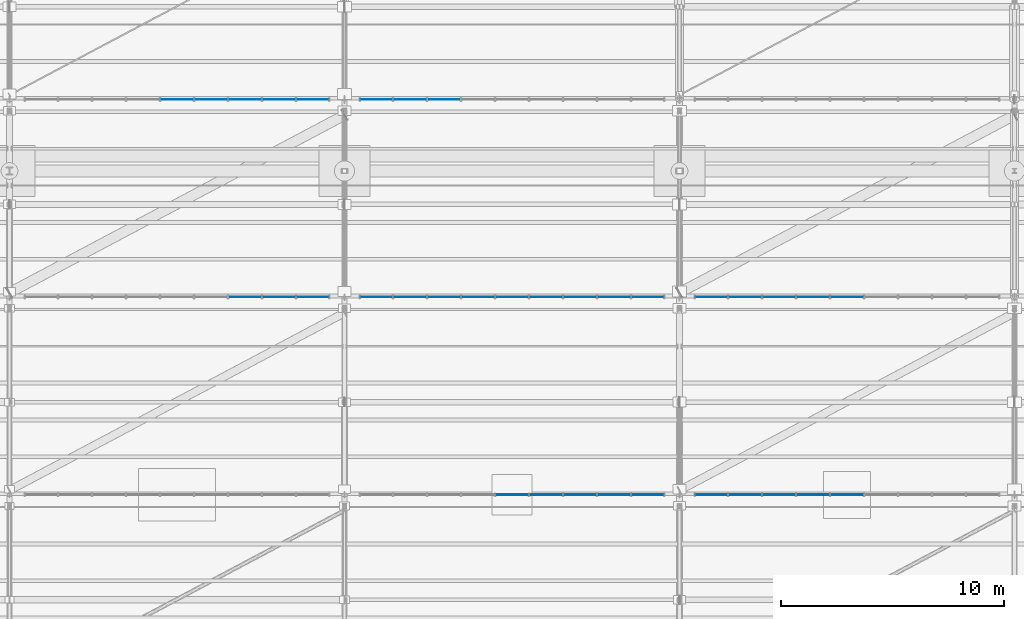
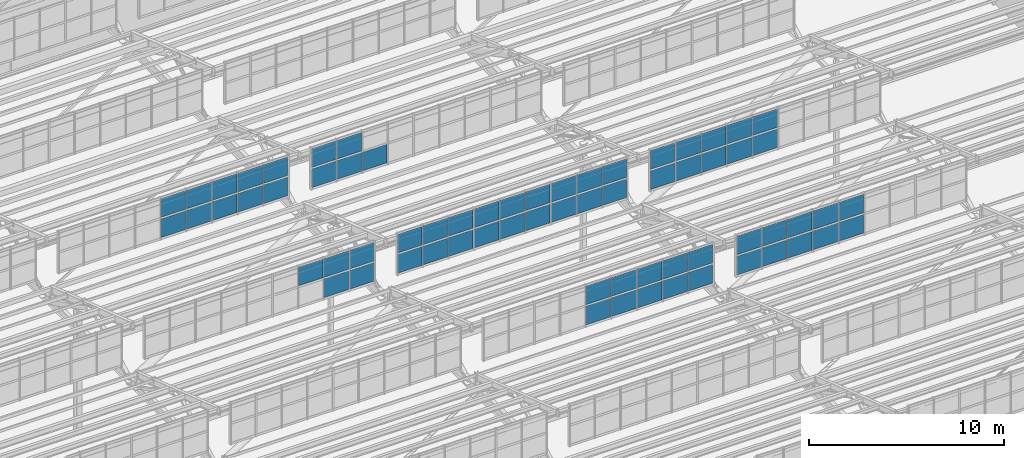
# One storey, part 179 of 285: 68 plates, 7 elements without a shape of their own.
"""IFC4 building model written with IfcOpenShell, lengths in metres."""

import ifcopenshell
import ifcopenshell.guid

model = None  # the IFC model being written
_history = None  # IfcOwnerHistory: only IFC2X3 demands one
_inside = {}  # id of a spatial element -> (the spatial element, [elements in it])
_under = {}  # id of a project, library or spatial element -> (it, [spatial elements below it])
_declared = {}  # id of a project -> (the project, [libraries it declares])
_typed = {}  # id of a type object -> (the type object, [elements of that type])
_made_of = {}  # id of a material, layer set ... -> (it, [elements and type objects made of it])


def new_model(schema):
    """Start an empty IFC model of exactly this schema.

    Asked for "IFC4X3", IfcOpenShell would pick the latest addendum, in which some entities
    have other attributes; the version numbers below select the first issue.
    IFC2X3 requires an IfcOwnerHistory on every rooted entity: one is made here for all.
    """
    global model, _history
    if schema == "IFC4X3":
        model = ifcopenshell.file(schema_version=(4, 3, 0, 0))
    else:
        model = ifcopenshell.file(schema=schema)
    _inside.clear()
    _under.clear()
    _declared.clear()
    _typed.clear()
    _made_of.clear()
    _history = None
    if model.schema == "IFC2X3":
        org = make("IfcOrganization", Name="unknown")
        user = make(
            "IfcPersonAndOrganization",
            ThePerson=make("IfcPerson", FamilyName="unknown"),
            TheOrganization=org,
        )
        app = make(
            "IfcApplication",
            ApplicationDeveloper=org,
            Version="unknown",
            ApplicationFullName="unknown",
            ApplicationIdentifier="unknown",
        )
        _history = make(
            "IfcOwnerHistory",
            OwningUser=user,
            OwningApplication=app,
            ChangeAction="ADDED",
            CreationDate=0,
        )
    return model


def make(cls, **values):
    """One entity of the class cls with the attributes given. An attribute that is None is left unset."""
    return model.create_entity(
        cls, **{name: value for name, value in values.items() if value is not None}
    )


def rooted(cls, **values):
    """An entity with a GlobalId (a new one), such as an element, a storey or a relation."""
    return make(cls, GlobalId=ifcopenshell.guid.new(), OwnerHistory=_history, **values)


def si_unit(unit_type, name, prefix=None):
    """IfcSIUnit, for example si_unit("LENGTHUNIT", "METRE", prefix="MILLI")."""
    return make("IfcSIUnit", UnitType=unit_type, Prefix=prefix, Name=name)


def assignment(units):
    """IfcUnitAssignment: the units of a project."""
    return None if units is None else make("IfcUnitAssignment", Units=units)


def point(xyz):
    """IfcCartesianPoint."""
    return None if xyz is None else make("IfcCartesianPoint", Coordinates=xyz)


def direction(xyz):
    """IfcDirection."""
    return None if xyz is None else make("IfcDirection", DirectionRatios=xyz)


def frame(location, z_axis=None, x_axis=None):
    """IfcAxis2Placement3D, a coordinate frame: its origin and axes. An axis left out is left unset."""
    return make(
        "IfcAxis2Placement3D",
        Location=point(location),
        Axis=direction(z_axis),
        RefDirection=direction(x_axis),
    )


def frame_2d(location, x_axis=None):
    """IfcAxis2Placement2D, a coordinate frame in the plane: its origin and x axis."""
    return make(
        "IfcAxis2Placement2D", Location=point(location), RefDirection=direction(x_axis)
    )


def origin():
    """The frame at (0, 0, 0) with its axes left unset."""
    return frame((0.0, 0.0, 0.0))


def origin_2d():
    """The frame at (0, 0) in the plane with its x axis left unset."""
    return frame_2d((0.0, 0.0))


def place(relative_to, where):
    """IfcLocalPlacement: puts the frame where relative to a parent placement (None: the world)."""
    return make(
        "IfcLocalPlacement", PlacementRelTo=relative_to, RelativePlacement=where
    )


def context(
    kind, dimensions, precision=None, world=None, true_north=None, identifier=None
):
    """IfcGeometricRepresentationContext, for example the 3D "Model" context."""
    return make(
        "IfcGeometricRepresentationContext",
        ContextIdentifier=identifier,
        ContextType=kind,
        CoordinateSpaceDimension=dimensions,
        Precision=precision,
        WorldCoordinateSystem=world,
        TrueNorth=true_north,
    )


def subcontext(parent, identifier, kind, view, scale=None):
    """IfcGeometricRepresentationSubContext, for example "Body" below "Model"."""
    return make(
        "IfcGeometricRepresentationSubContext",
        ContextIdentifier=identifier,
        ContextType=kind,
        ParentContext=parent,
        TargetScale=scale,
        TargetView=view,
    )


def project(units=None, contexts=None):
    """IfcProject with its units and contexts."""
    return rooted(
        "IfcProject",
        Name="project",
        RepresentationContexts=contexts,
        UnitsInContext=assignment(units),
    )


def spatial(cls, under=None, at=None, **own):
    """A site, building, storey or space (cls), placed at a placement, below another one or the project."""
    s = rooted(cls, ObjectPlacement=at, **own)
    if under is not None:
        _under.setdefault(under.id(), (under, []))[1].append(s)
    return s


def profile(cls, at=None, kind="AREA", **sizes):
    """A parametric profile (cls). Its sizes go by their IFC names, for example OverallWidth=200.0."""
    return make(cls, ProfileType=kind, Position=at, **sizes)


def rectangle(**sizes):
    """IfcRectangleProfileDef."""
    return profile("IfcRectangleProfileDef", **sizes)


def extrude(swept, where, along, depth):
    """IfcExtrudedAreaSolid: the profile swept, set in the frame where, extruded along a direction by depth."""
    return make(
        "IfcExtrudedAreaSolid",
        SweptArea=swept,
        Position=where,
        ExtrudedDirection=direction(along),
        Depth=depth,
    )


def shape(context_of_items, identifier, shape_type, items):
    """IfcShapeRepresentation: the items that make up one representation, for example the "Body"."""
    return make(
        "IfcShapeRepresentation",
        ContextOfItems=context_of_items,
        RepresentationIdentifier=identifier,
        RepresentationType=shape_type,
        Items=items,
    )


def material(Name=None, Category=None):
    """IfcMaterial."""
    return make("IfcMaterial", Name=Name, Category=Category)


def layer(
    of_material, thickness, ventilated=None, Name=None, Category=None, Priority=None
):
    """IfcMaterialLayer: one layer of a wall or slab, of a material (None: an air gap)."""
    return make(
        "IfcMaterialLayer",
        Material=of_material,
        LayerThickness=thickness,
        IsVentilated=ventilated,
        Name=Name,
        Category=Category,
        Priority=Priority,
    )


def layer_set(layers, Name=None):
    """IfcMaterialLayerSet."""
    return make("IfcMaterialLayerSet", MaterialLayers=layers, LayerSetName=Name)


def made_of(thing, what):
    """Note that an element or type object is made of a material, layer set ...; save() writes the relation."""
    if what is not None:
        _made_of.setdefault(what.id(), (what, []))[1].append(thing)
    return thing


def type_object(cls, material=None, **own):
    """A type object (cls), such as IfcWallType, which elements share."""
    return made_of(rooted(cls, **own), material)


def element(
    cls,
    number,
    at=None,
    inside=None,
    cuts=None,
    type_object=None,
    material=None,
    context=None,
    identifier="Body",
    shape_type=None,
    held_by="IfcProductDefinitionShape",
    body=None,
    shapes=None,
    **own,
):
    """One element of the class cls, such as IfcWall. Its Tag is "e" and its number.

    at: its placement. inside: the storey or other place that contains it. cuts: it is an
    opening in that element (IfcRelVoidsElement). A single representation is given by context,
    identifier, shape_type and body (its items); several are given by shapes. held_by: the class
    of the entity that holds the representations. save() writes the other relations.
    """
    e = rooted(cls, Tag="e%d" % number, ObjectPlacement=at, **own)
    if body is not None:
        shapes = [shape(context, identifier, shape_type, body)]
    if shapes is not None:
        e.Representation = make(held_by, Representations=shapes)
    if inside is not None:
        _inside.setdefault(inside.id(), (inside, []))[1].append(e)
    if cuts is not None:
        rooted(
            "IfcRelVoidsElement", RelatingBuildingElement=cuts, RelatedOpeningElement=e
        )
    if type_object is not None:
        _typed.setdefault(type_object.id(), (type_object, []))[1].append(e)
    return made_of(e, material)


def aggregate(whole, parts):
    """IfcRelAggregates: a whole, such as a stair, and the parts it consists of."""
    return rooted("IfcRelAggregates", RelatingObject=whole, RelatedObjects=parts)


def save(model, path):
    """Write the relations noted so far, then the file.

    IfcRelAggregates (storeys below a building ...), IfcRelContainedInSpatialStructure (elements
    in a storey), IfcRelDefinesByType, IfcRelAssociatesMaterial and IfcRelDeclares: one each for
    every whole, place, type object, material and project.
    """
    for whole, parts in _under.values():
        aggregate(whole, parts)
    for where, things in _inside.values():
        rooted(
            "IfcRelContainedInSpatialStructure",
            RelatedElements=things,
            RelatingStructure=where,
        )
    for kind, things in _typed.values():
        rooted("IfcRelDefinesByType", RelatedObjects=things, RelatingType=kind)
    for what, things in _made_of.values():
        rooted("IfcRelAssociatesMaterial", RelatedObjects=things, RelatingMaterial=what)
    for by, libraries in _declared.values():
        rooted("IfcRelDeclares", RelatingContext=by, RelatedDefinitions=libraries)
    model.write(path)


model = new_model("IFC4")

# Units and contexts
model_context = context("Model", 3, precision=1e-05, world=origin(), true_north=direction((0.0, 1.0)))
body_context = subcontext(model_context, "Body", "Model", "MODEL_VIEW")
ifc_project = project(units=[si_unit("LENGTHUNIT", "METRE"), si_unit("AREAUNIT", "SQUARE_METRE"), si_unit("VOLUMEUNIT", "CUBIC_METRE"), si_unit("PLANEANGLEUNIT", "RADIAN"), si_unit("MASSUNIT", "GRAM", prefix="KILO")], contexts=[model_context])

# Site, building, storey
site_placement = place(None, origin())
site = spatial("IfcSite", under=ifc_project, at=site_placement, CompositionType="ELEMENT")
building_placement = place(site_placement, origin())
building = spatial("IfcBuilding", under=site, at=building_placement, Name="Solanera Park Tramway Depot", CompositionType="ELEMENT")
storey_placement = place(building_placement, origin())
storey = spatial("IfcBuildingStorey", under=building, at=storey_placement, Name="L00", CompositionType="ELEMENT", Elevation=0.0)

# Curtain wall, plates
ifc_material_1 = material(Name="Bronze-anodised thermally broken aluminium curtain wall", Category="aluminium")
curtain_wall_type = type_object("IfcCurtainWallType", Name="Sawtooth Clerestory Monitor Curtain Wall", PredefinedType="NOTDEFINED", material=ifc_material_1)
curtain_wall_1_placement = place(storey_placement, origin())
curtain_wall_1 = element("IfcCurtainWall", 1, at=curtain_wall_1_placement, inside=storey, type_object=curtain_wall_type, Name="L00 Sawtooth Clerestory Monitor Curtain Wall #042", PredefinedType="NOTDEFINED")
ifc_material_2 = material(Name="Low-E laminated solar-control double glazing", Category="glass")
ifc_layer = layer(ifc_material_2, 0.028076171875)
ifc_layer_set = layer_set([ifc_layer], Name="Low-E laminated solar-control double glazing")
plate_type = type_object("IfcPlateType", Name="Curtain Wall Double Glazing Panel 28", PredefinedType="CURTAIN_PANEL", material=ifc_layer_set)
plate_1_placement = place(storey_placement, frame((112.5, 100.0, 7.862060546875), z_axis=(0.0, 0.0, 1.0), x_axis=(1.0, 0.0, 0.0)))
plate_1 = element("IfcPlate", 2, at=plate_1_placement, type_object=plate_type, Name="CW-L00-042 Glazing Panel R1.C5", PredefinedType="CURTAIN_PANEL", context=body_context, shape_type="SweptSolid", body=[
    extrude(rectangle(XDim=1.47021484375, YDim=0.028076171875, at=origin_2d()), origin(), (0.0, 0.0, 1.0), 1.16650390625),
])
plate_2_placement = place(storey_placement, frame((114.022216796875, 100.0, 7.862060546875), z_axis=(0.0, 0.0, 1.0), x_axis=(1.0, 0.0, 0.0)))
plate_2 = element("IfcPlate", 3, at=plate_2_placement, type_object=plate_type, Name="CW-L00-042 Glazing Panel R1.C6", PredefinedType="CURTAIN_PANEL", context=body_context, shape_type="SweptSolid", body=[
    extrude(rectangle(XDim=1.47021484375, YDim=0.028076171875, at=origin_2d()), origin(), (0.0, 0.0, 1.0), 1.16650390625),
])
plate_3_placement = place(storey_placement, frame((115.54443359375, 100.0, 7.862060546875), z_axis=(0.0, 0.0, 1.0), x_axis=(1.0, 0.0, 0.0)))
plate_3 = element("IfcPlate", 4, at=plate_3_placement, type_object=plate_type, Name="CW-L00-042 Glazing Panel R1.C7", PredefinedType="CURTAIN_PANEL", context=body_context, shape_type="SweptSolid", body=[
    extrude(rectangle(XDim=1.47021484375, YDim=0.028076171875, at=origin_2d()), origin(), (0.0, 0.0, 1.0), 1.16650390625),
])
plate_4_placement = place(storey_placement, frame((117.066650390625, 100.0, 7.862060546875), z_axis=(0.0, 0.0, 1.0), x_axis=(1.0, 0.0, 0.0)))
plate_4 = element("IfcPlate", 5, at=plate_4_placement, type_object=plate_type, Name="CW-L00-042 Glazing Panel R1.C8", PredefinedType="CURTAIN_PANEL", context=body_context, shape_type="SweptSolid", body=[
    extrude(rectangle(XDim=1.47021484375, YDim=0.028076171875, at=origin_2d()), origin(), (0.0, 0.0, 1.0), 1.16650390625),
])
plate_5_placement = place(storey_placement, frame((118.572509765625, 100.0, 7.862060546875), z_axis=(0.0, 0.0, 1.0), x_axis=(1.0, 0.0, 0.0)))
plate_5 = element("IfcPlate", 6, at=plate_5_placement, type_object=plate_type, Name="CW-L00-042 Glazing Panel R1.C9", PredefinedType="CURTAIN_PANEL", context=body_context, shape_type="SweptSolid", body=[
    extrude(rectangle(XDim=1.437744140625, YDim=0.028076171875, at=origin_2d()), origin(), (0.0, 0.0, 1.0), 1.16650390625),
])
plate_6_placement = place(storey_placement, frame((112.5, 100.0, 9.132568359375), z_axis=(0.0, 0.0, 1.0), x_axis=(1.0, 0.0, 0.0)))
plate_6 = element("IfcPlate", 7, at=plate_6_placement, type_object=plate_type, Name="CW-L00-042 Glazing Panel R2.C5", PredefinedType="CURTAIN_PANEL", context=body_context, shape_type="SweptSolid", body=[
    extrude(rectangle(XDim=1.47021484375, YDim=0.028076171875, at=origin_2d()), origin(), (0.0, 0.0, 1.0), 1.16650390625),
])
plate_7_placement = place(storey_placement, frame((114.022216796875, 100.0, 9.132568359375), z_axis=(0.0, 0.0, 1.0), x_axis=(1.0, 0.0, 0.0)))
plate_7 = element("IfcPlate", 8, at=plate_7_placement, type_object=plate_type, Name="CW-L00-042 Glazing Panel R2.C6", PredefinedType="CURTAIN_PANEL", context=body_context, shape_type="SweptSolid", body=[
    extrude(rectangle(XDim=1.47021484375, YDim=0.028076171875, at=origin_2d()), origin(), (0.0, 0.0, 1.0), 1.16650390625),
])
plate_8_placement = place(storey_placement, frame((115.54443359375, 100.0, 9.132568359375), z_axis=(0.0, 0.0, 1.0), x_axis=(1.0, 0.0, 0.0)))
plate_8 = element("IfcPlate", 9, at=plate_8_placement, type_object=plate_type, Name="CW-L00-042 Glazing Panel R2.C7", PredefinedType="CURTAIN_PANEL", context=body_context, shape_type="SweptSolid", body=[
    extrude(rectangle(XDim=1.47021484375, YDim=0.028076171875, at=origin_2d()), origin(), (0.0, 0.0, 1.0), 1.16650390625),
])
plate_9_placement = place(storey_placement, frame((117.066650390625, 100.0, 9.132568359375), z_axis=(0.0, 0.0, 1.0), x_axis=(1.0, 0.0, 0.0)))
plate_9 = element("IfcPlate", 10, at=plate_9_placement, type_object=plate_type, Name="CW-L00-042 Glazing Panel R2.C8", PredefinedType="CURTAIN_PANEL", context=body_context, shape_type="SweptSolid", body=[
    extrude(rectangle(XDim=1.47021484375, YDim=0.028076171875, at=origin_2d()), origin(), (0.0, 0.0, 1.0), 1.16650390625),
])
plate_10_placement = place(storey_placement, frame((118.572509765625, 100.0, 9.132568359375), z_axis=(0.0, 0.0, 1.0), x_axis=(1.0, 0.0, 0.0)))
plate_10 = element("IfcPlate", 11, at=plate_10_placement, type_object=plate_type, Name="CW-L00-042 Glazing Panel R2.C9", PredefinedType="CURTAIN_PANEL", context=body_context, shape_type="SweptSolid", body=[
    extrude(rectangle(XDim=1.437744140625, YDim=0.028076171875, at=origin_2d()), origin(), (0.0, 0.0, 1.0), 1.16650390625),
])
aggregate(curtain_wall_1, [plate_1, plate_2, plate_3, plate_4, plate_5, plate_6, plate_7, plate_8, plate_9, plate_10])

curtain_wall_2_placement = place(storey_placement, origin())
curtain_wall_2 = element("IfcCurtainWall", 12, at=curtain_wall_2_placement, inside=storey, type_object=curtain_wall_type, Name="L00 Sawtooth Clerestory Monitor Curtain Wall #043", PredefinedType="NOTDEFINED")
plate_11_placement = place(storey_placement, frame((121.427490234375, 100.0, 7.862060546875), z_axis=(0.0, 0.0, 1.0), x_axis=(1.0, 0.0, 0.0)))
plate_11 = element("IfcPlate", 13, at=plate_11_placement, type_object=plate_type, Name="CW-L00-043 Glazing Panel R1.C1", PredefinedType="CURTAIN_PANEL", context=body_context, shape_type="SweptSolid", body=[
    extrude(rectangle(XDim=1.437744140625, YDim=0.028076171875, at=origin_2d()), origin(), (0.0, 0.0, 1.0), 1.16650390625),
])
plate_12_placement = place(storey_placement, frame((122.933349609375, 100.0, 7.862060546875), z_axis=(0.0, 0.0, 1.0), x_axis=(1.0, 0.0, 0.0)))
plate_12 = element("IfcPlate", 14, at=plate_12_placement, type_object=plate_type, Name="CW-L00-043 Glazing Panel R1.C2", PredefinedType="CURTAIN_PANEL", context=body_context, shape_type="SweptSolid", body=[
    extrude(rectangle(XDim=1.47021484375, YDim=0.028076171875, at=origin_2d()), origin(), (0.0, 0.0, 1.0), 1.16650390625),
])
plate_13_placement = place(storey_placement, frame((124.45556640625, 100.0, 7.862060546875), z_axis=(0.0, 0.0, 1.0), x_axis=(1.0, 0.0, 0.0)))
plate_13 = element("IfcPlate", 15, at=plate_13_placement, type_object=plate_type, Name="CW-L00-043 Glazing Panel R1.C3", PredefinedType="CURTAIN_PANEL", context=body_context, shape_type="SweptSolid", body=[
    extrude(rectangle(XDim=1.47021484375, YDim=0.028076171875, at=origin_2d()), origin(), (0.0, 0.0, 1.0), 1.16650390625),
])
plate_14_placement = place(storey_placement, frame((125.977783203125, 100.0, 7.862060546875), z_axis=(0.0, 0.0, 1.0), x_axis=(1.0, 0.0, 0.0)))
plate_14 = element("IfcPlate", 16, at=plate_14_placement, type_object=plate_type, Name="CW-L00-043 Glazing Panel R1.C4", PredefinedType="CURTAIN_PANEL", context=body_context, shape_type="SweptSolid", body=[
    extrude(rectangle(XDim=1.47021484375, YDim=0.028076171875, at=origin_2d()), origin(), (0.0, 0.0, 1.0), 1.16650390625),
])
plate_15_placement = place(storey_placement, frame((127.5, 100.0, 7.862060546875), z_axis=(0.0, 0.0, 1.0), x_axis=(1.0, 0.0, 0.0)))
plate_15 = element("IfcPlate", 17, at=plate_15_placement, type_object=plate_type, Name="CW-L00-043 Glazing Panel R1.C5", PredefinedType="CURTAIN_PANEL", context=body_context, shape_type="SweptSolid", body=[
    extrude(rectangle(XDim=1.47021484375, YDim=0.028076171875, at=origin_2d()), origin(), (0.0, 0.0, 1.0), 1.16650390625),
])
plate_16_placement = place(storey_placement, frame((121.427490234375, 100.0, 9.132568359375), z_axis=(0.0, 0.0, 1.0), x_axis=(1.0, 0.0, 0.0)))
plate_16 = element("IfcPlate", 18, at=plate_16_placement, type_object=plate_type, Name="CW-L00-043 Glazing Panel R2.C1", PredefinedType="CURTAIN_PANEL", context=body_context, shape_type="SweptSolid", body=[
    extrude(rectangle(XDim=1.437744140625, YDim=0.028076171875, at=origin_2d()), origin(), (0.0, 0.0, 1.0), 1.16650390625),
])
plate_17_placement = place(storey_placement, frame((122.933349609375, 100.0, 9.132568359375), z_axis=(0.0, 0.0, 1.0), x_axis=(1.0, 0.0, 0.0)))
plate_17 = element("IfcPlate", 19, at=plate_17_placement, type_object=plate_type, Name="CW-L00-043 Glazing Panel R2.C2", PredefinedType="CURTAIN_PANEL", context=body_context, shape_type="SweptSolid", body=[
    extrude(rectangle(XDim=1.47021484375, YDim=0.028076171875, at=origin_2d()), origin(), (0.0, 0.0, 1.0), 1.16650390625),
])
plate_18_placement = place(storey_placement, frame((124.45556640625, 100.0, 9.132568359375), z_axis=(0.0, 0.0, 1.0), x_axis=(1.0, 0.0, 0.0)))
plate_18 = element("IfcPlate", 20, at=plate_18_placement, type_object=plate_type, Name="CW-L00-043 Glazing Panel R2.C3", PredefinedType="CURTAIN_PANEL", context=body_context, shape_type="SweptSolid", body=[
    extrude(rectangle(XDim=1.47021484375, YDim=0.028076171875, at=origin_2d()), origin(), (0.0, 0.0, 1.0), 1.16650390625),
])
plate_19_placement = place(storey_placement, frame((125.977783203125, 100.0, 9.132568359375), z_axis=(0.0, 0.0, 1.0), x_axis=(1.0, 0.0, 0.0)))
plate_19 = element("IfcPlate", 21, at=plate_19_placement, type_object=plate_type, Name="CW-L00-043 Glazing Panel R2.C4", PredefinedType="CURTAIN_PANEL", context=body_context, shape_type="SweptSolid", body=[
    extrude(rectangle(XDim=1.47021484375, YDim=0.028076171875, at=origin_2d()), origin(), (0.0, 0.0, 1.0), 1.16650390625),
])
plate_20_placement = place(storey_placement, frame((127.5, 100.0, 9.132568359375), z_axis=(0.0, 0.0, 1.0), x_axis=(1.0, 0.0, 0.0)))
plate_20 = element("IfcPlate", 22, at=plate_20_placement, type_object=plate_type, Name="CW-L00-043 Glazing Panel R2.C5", PredefinedType="CURTAIN_PANEL", context=body_context, shape_type="SweptSolid", body=[
    extrude(rectangle(XDim=1.47021484375, YDim=0.028076171875, at=origin_2d()), origin(), (0.0, 0.0, 1.0), 1.16650390625),
])
aggregate(curtain_wall_2, [plate_11, plate_12, plate_13, plate_14, plate_15, plate_16, plate_17, plate_18, plate_19, plate_20])

curtain_wall_3_placement = place(storey_placement, origin())
curtain_wall_3 = element("IfcCurtainWall", 23, at=curtain_wall_3_placement, inside=storey, type_object=curtain_wall_type, Name="L00 Sawtooth Clerestory Monitor Curtain Wall #049", PredefinedType="NOTDEFINED")
plate_21_placement = place(storey_placement, frame((102.066650390625, 108.85009765625, 7.862060546875), z_axis=(0.0, 0.0, 1.0), x_axis=(1.0, 0.0, 0.0)))
plate_21 = element("IfcPlate", 24, at=plate_21_placement, type_object=plate_type, Name="CW-L00-049 Glazing Panel R1.C8", PredefinedType="CURTAIN_PANEL", context=body_context, shape_type="SweptSolid", body=[
    extrude(rectangle(XDim=1.47021484375, YDim=0.028076171875, at=origin_2d()), origin(), (0.0, 0.0, 1.0), 1.16650390625),
])
plate_22_placement = place(storey_placement, frame((103.572509765625, 108.85009765625, 7.862060546875), z_axis=(0.0, 0.0, 1.0), x_axis=(1.0, 0.0, 0.0)))
plate_22 = element("IfcPlate", 25, at=plate_22_placement, type_object=plate_type, Name="CW-L00-049 Glazing Panel R1.C9", PredefinedType="CURTAIN_PANEL", context=body_context, shape_type="SweptSolid", body=[
    extrude(rectangle(XDim=1.437744140625, YDim=0.028076171875, at=origin_2d()), origin(), (0.0, 0.0, 1.0), 1.16650390625),
])
plate_23_placement = place(storey_placement, frame((100.54443359375, 108.85009765625, 9.132568359375), z_axis=(0.0, 0.0, 1.0), x_axis=(1.0, 0.0, 0.0)))
plate_23 = element("IfcPlate", 26, at=plate_23_placement, type_object=plate_type, Name="CW-L00-049 Glazing Panel R2.C7", PredefinedType="CURTAIN_PANEL", context=body_context, shape_type="SweptSolid", body=[
    extrude(rectangle(XDim=1.47021484375, YDim=0.028076171875, at=origin_2d()), origin(), (0.0, 0.0, 1.0), 1.16650390625),
])
plate_24_placement = place(storey_placement, frame((102.066650390625, 108.85009765625, 9.132568359375), z_axis=(0.0, 0.0, 1.0), x_axis=(1.0, 0.0, 0.0)))
plate_24 = element("IfcPlate", 27, at=plate_24_placement, type_object=plate_type, Name="CW-L00-049 Glazing Panel R2.C8", PredefinedType="CURTAIN_PANEL", context=body_context, shape_type="SweptSolid", body=[
    extrude(rectangle(XDim=1.47021484375, YDim=0.028076171875, at=origin_2d()), origin(), (0.0, 0.0, 1.0), 1.16650390625),
])
plate_25_placement = place(storey_placement, frame((103.572509765625, 108.85009765625, 9.132568359375), z_axis=(0.0, 0.0, 1.0), x_axis=(1.0, 0.0, 0.0)))
plate_25 = element("IfcPlate", 28, at=plate_25_placement, type_object=plate_type, Name="CW-L00-049 Glazing Panel R2.C9", PredefinedType="CURTAIN_PANEL", context=body_context, shape_type="SweptSolid", body=[
    extrude(rectangle(XDim=1.437744140625, YDim=0.028076171875, at=origin_2d()), origin(), (0.0, 0.0, 1.0), 1.16650390625),
])
aggregate(curtain_wall_3, [plate_21, plate_22, plate_23, plate_24, plate_25])

curtain_wall_4_placement = place(storey_placement, origin())
curtain_wall_4 = element("IfcCurtainWall", 29, at=curtain_wall_4_placement, inside=storey, type_object=curtain_wall_type, Name="L00 Sawtooth Clerestory Monitor Curtain Wall #050", PredefinedType="NOTDEFINED")
plate_26_placement = place(storey_placement, frame((106.427490234375, 108.85009765625, 7.862060546875), z_axis=(0.0, 0.0, 1.0), x_axis=(1.0, 0.0, 0.0)))
plate_26 = element("IfcPlate", 30, at=plate_26_placement, type_object=plate_type, Name="CW-L00-050 Glazing Panel R1.C1", PredefinedType="CURTAIN_PANEL", context=body_context, shape_type="SweptSolid", body=[
    extrude(rectangle(XDim=1.437744140625, YDim=0.028076171875, at=origin_2d()), origin(), (0.0, 0.0, 1.0), 1.16650390625),
])
plate_27_placement = place(storey_placement, frame((107.933349609375, 108.85009765625, 7.862060546875), z_axis=(0.0, 0.0, 1.0), x_axis=(1.0, 0.0, 0.0)))
plate_27 = element("IfcPlate", 31, at=plate_27_placement, type_object=plate_type, Name="CW-L00-050 Glazing Panel R1.C2", PredefinedType="CURTAIN_PANEL", context=body_context, shape_type="SweptSolid", body=[
    extrude(rectangle(XDim=1.47021484375, YDim=0.028076171875, at=origin_2d()), origin(), (0.0, 0.0, 1.0), 1.16650390625),
])
plate_28_placement = place(storey_placement, frame((109.45556640625, 108.85009765625, 7.862060546875), z_axis=(0.0, 0.0, 1.0), x_axis=(1.0, 0.0, 0.0)))
plate_28 = element("IfcPlate", 32, at=plate_28_placement, type_object=plate_type, Name="CW-L00-050 Glazing Panel R1.C3", PredefinedType="CURTAIN_PANEL", context=body_context, shape_type="SweptSolid", body=[
    extrude(rectangle(XDim=1.47021484375, YDim=0.028076171875, at=origin_2d()), origin(), (0.0, 0.0, 1.0), 1.16650390625),
])
plate_29_placement = place(storey_placement, frame((110.977783203125, 108.85009765625, 7.862060546875), z_axis=(0.0, 0.0, 1.0), x_axis=(1.0, 0.0, 0.0)))
plate_29 = element("IfcPlate", 33, at=plate_29_placement, type_object=plate_type, Name="CW-L00-050 Glazing Panel R1.C4", PredefinedType="CURTAIN_PANEL", context=body_context, shape_type="SweptSolid", body=[
    extrude(rectangle(XDim=1.47021484375, YDim=0.028076171875, at=origin_2d()), origin(), (0.0, 0.0, 1.0), 1.16650390625),
])
plate_30_placement = place(storey_placement, frame((112.5, 108.85009765625, 7.862060546875), z_axis=(0.0, 0.0, 1.0), x_axis=(1.0, 0.0, 0.0)))
plate_30 = element("IfcPlate", 34, at=plate_30_placement, type_object=plate_type, Name="CW-L00-050 Glazing Panel R1.C5", PredefinedType="CURTAIN_PANEL", context=body_context, shape_type="SweptSolid", body=[
    extrude(rectangle(XDim=1.47021484375, YDim=0.028076171875, at=origin_2d()), origin(), (0.0, 0.0, 1.0), 1.16650390625),
])
plate_31_placement = place(storey_placement, frame((114.022216796875, 108.85009765625, 7.862060546875), z_axis=(0.0, 0.0, 1.0), x_axis=(1.0, 0.0, 0.0)))
plate_31 = element("IfcPlate", 35, at=plate_31_placement, type_object=plate_type, Name="CW-L00-050 Glazing Panel R1.C6", PredefinedType="CURTAIN_PANEL", context=body_context, shape_type="SweptSolid", body=[
    extrude(rectangle(XDim=1.47021484375, YDim=0.028076171875, at=origin_2d()), origin(), (0.0, 0.0, 1.0), 1.16650390625),
])
plate_32_placement = place(storey_placement, frame((115.54443359375, 108.85009765625, 7.862060546875), z_axis=(0.0, 0.0, 1.0), x_axis=(1.0, 0.0, 0.0)))
plate_32 = element("IfcPlate", 36, at=plate_32_placement, type_object=plate_type, Name="CW-L00-050 Glazing Panel R1.C7", PredefinedType="CURTAIN_PANEL", context=body_context, shape_type="SweptSolid", body=[
    extrude(rectangle(XDim=1.47021484375, YDim=0.028076171875, at=origin_2d()), origin(), (0.0, 0.0, 1.0), 1.16650390625),
])
plate_33_placement = place(storey_placement, frame((117.066650390625, 108.85009765625, 7.862060546875), z_axis=(0.0, 0.0, 1.0), x_axis=(1.0, 0.0, 0.0)))
plate_33 = element("IfcPlate", 37, at=plate_33_placement, type_object=plate_type, Name="CW-L00-050 Glazing Panel R1.C8", PredefinedType="CURTAIN_PANEL", context=body_context, shape_type="SweptSolid", body=[
    extrude(rectangle(XDim=1.47021484375, YDim=0.028076171875, at=origin_2d()), origin(), (0.0, 0.0, 1.0), 1.16650390625),
])
plate_34_placement = place(storey_placement, frame((118.572509765625, 108.85009765625, 7.862060546875), z_axis=(0.0, 0.0, 1.0), x_axis=(1.0, 0.0, 0.0)))
plate_34 = element("IfcPlate", 38, at=plate_34_placement, type_object=plate_type, Name="CW-L00-050 Glazing Panel R1.C9", PredefinedType="CURTAIN_PANEL", context=body_context, shape_type="SweptSolid", body=[
    extrude(rectangle(XDim=1.437744140625, YDim=0.028076171875, at=origin_2d()), origin(), (0.0, 0.0, 1.0), 1.16650390625),
])
plate_35_placement = place(storey_placement, frame((106.427490234375, 108.85009765625, 9.132568359375), z_axis=(0.0, 0.0, 1.0), x_axis=(1.0, 0.0, 0.0)))
plate_35 = element("IfcPlate", 39, at=plate_35_placement, type_object=plate_type, Name="CW-L00-050 Glazing Panel R2.C1", PredefinedType="CURTAIN_PANEL", context=body_context, shape_type="SweptSolid", body=[
    extrude(rectangle(XDim=1.437744140625, YDim=0.028076171875, at=origin_2d()), origin(), (0.0, 0.0, 1.0), 1.16650390625),
])
plate_36_placement = place(storey_placement, frame((107.933349609375, 108.85009765625, 9.132568359375), z_axis=(0.0, 0.0, 1.0), x_axis=(1.0, 0.0, 0.0)))
plate_36 = element("IfcPlate", 40, at=plate_36_placement, type_object=plate_type, Name="CW-L00-050 Glazing Panel R2.C2", PredefinedType="CURTAIN_PANEL", context=body_context, shape_type="SweptSolid", body=[
    extrude(rectangle(XDim=1.47021484375, YDim=0.028076171875, at=origin_2d()), origin(), (0.0, 0.0, 1.0), 1.16650390625),
])
plate_37_placement = place(storey_placement, frame((109.45556640625, 108.85009765625, 9.132568359375), z_axis=(0.0, 0.0, 1.0), x_axis=(1.0, 0.0, 0.0)))
plate_37 = element("IfcPlate", 41, at=plate_37_placement, type_object=plate_type, Name="CW-L00-050 Glazing Panel R2.C3", PredefinedType="CURTAIN_PANEL", context=body_context, shape_type="SweptSolid", body=[
    extrude(rectangle(XDim=1.47021484375, YDim=0.028076171875, at=origin_2d()), origin(), (0.0, 0.0, 1.0), 1.16650390625),
])
plate_38_placement = place(storey_placement, frame((110.977783203125, 108.85009765625, 9.132568359375), z_axis=(0.0, 0.0, 1.0), x_axis=(1.0, 0.0, 0.0)))
plate_38 = element("IfcPlate", 42, at=plate_38_placement, type_object=plate_type, Name="CW-L00-050 Glazing Panel R2.C4", PredefinedType="CURTAIN_PANEL", context=body_context, shape_type="SweptSolid", body=[
    extrude(rectangle(XDim=1.47021484375, YDim=0.028076171875, at=origin_2d()), origin(), (0.0, 0.0, 1.0), 1.16650390625),
])
plate_39_placement = place(storey_placement, frame((112.5, 108.85009765625, 9.132568359375), z_axis=(0.0, 0.0, 1.0), x_axis=(1.0, 0.0, 0.0)))
plate_39 = element("IfcPlate", 43, at=plate_39_placement, type_object=plate_type, Name="CW-L00-050 Glazing Panel R2.C5", PredefinedType="CURTAIN_PANEL", context=body_context, shape_type="SweptSolid", body=[
    extrude(rectangle(XDim=1.47021484375, YDim=0.028076171875, at=origin_2d()), origin(), (0.0, 0.0, 1.0), 1.16650390625),
])
plate_40_placement = place(storey_placement, frame((114.022216796875, 108.85009765625, 9.132568359375), z_axis=(0.0, 0.0, 1.0), x_axis=(1.0, 0.0, 0.0)))
plate_40 = element("IfcPlate", 44, at=plate_40_placement, type_object=plate_type, Name="CW-L00-050 Glazing Panel R2.C6", PredefinedType="CURTAIN_PANEL", context=body_context, shape_type="SweptSolid", body=[
    extrude(rectangle(XDim=1.47021484375, YDim=0.028076171875, at=origin_2d()), origin(), (0.0, 0.0, 1.0), 1.16650390625),
])
plate_41_placement = place(storey_placement, frame((115.54443359375, 108.85009765625, 9.132568359375), z_axis=(0.0, 0.0, 1.0), x_axis=(1.0, 0.0, 0.0)))
plate_41 = element("IfcPlate", 45, at=plate_41_placement, type_object=plate_type, Name="CW-L00-050 Glazing Panel R2.C7", PredefinedType="CURTAIN_PANEL", context=body_context, shape_type="SweptSolid", body=[
    extrude(rectangle(XDim=1.47021484375, YDim=0.028076171875, at=origin_2d()), origin(), (0.0, 0.0, 1.0), 1.16650390625),
])
plate_42_placement = place(storey_placement, frame((117.066650390625, 108.85009765625, 9.132568359375), z_axis=(0.0, 0.0, 1.0), x_axis=(1.0, 0.0, 0.0)))
plate_42 = element("IfcPlate", 46, at=plate_42_placement, type_object=plate_type, Name="CW-L00-050 Glazing Panel R2.C8", PredefinedType="CURTAIN_PANEL", context=body_context, shape_type="SweptSolid", body=[
    extrude(rectangle(XDim=1.47021484375, YDim=0.028076171875, at=origin_2d()), origin(), (0.0, 0.0, 1.0), 1.16650390625),
])
plate_43_placement = place(storey_placement, frame((118.572509765625, 108.85009765625, 9.132568359375), z_axis=(0.0, 0.0, 1.0), x_axis=(1.0, 0.0, 0.0)))
plate_43 = element("IfcPlate", 47, at=plate_43_placement, type_object=plate_type, Name="CW-L00-050 Glazing Panel R2.C9", PredefinedType="CURTAIN_PANEL", context=body_context, shape_type="SweptSolid", body=[
    extrude(rectangle(XDim=1.437744140625, YDim=0.028076171875, at=origin_2d()), origin(), (0.0, 0.0, 1.0), 1.16650390625),
])
aggregate(curtain_wall_4, [plate_26, plate_27, plate_28, plate_29, plate_30, plate_31, plate_32, plate_33, plate_34, plate_35, plate_36, plate_37, plate_38, plate_39, plate_40, plate_41, plate_42, plate_43])

curtain_wall_5_placement = place(storey_placement, origin())
curtain_wall_5 = element("IfcCurtainWall", 48, at=curtain_wall_5_placement, inside=storey, type_object=curtain_wall_type, Name="L00 Sawtooth Clerestory Monitor Curtain Wall #051", PredefinedType="NOTDEFINED")
plate_44_placement = place(storey_placement, frame((121.427490234375, 108.85009765625, 7.862060546875), z_axis=(0.0, 0.0, 1.0), x_axis=(1.0, 0.0, 0.0)))
plate_44 = element("IfcPlate", 49, at=plate_44_placement, type_object=plate_type, Name="CW-L00-051 Glazing Panel R1.C1", PredefinedType="CURTAIN_PANEL", context=body_context, shape_type="SweptSolid", body=[
    extrude(rectangle(XDim=1.437744140625, YDim=0.028076171875, at=origin_2d()), origin(), (0.0, 0.0, 1.0), 1.16650390625),
])
plate_45_placement = place(storey_placement, frame((122.933349609375, 108.85009765625, 7.862060546875), z_axis=(0.0, 0.0, 1.0), x_axis=(1.0, 0.0, 0.0)))
plate_45 = element("IfcPlate", 50, at=plate_45_placement, type_object=plate_type, Name="CW-L00-051 Glazing Panel R1.C2", PredefinedType="CURTAIN_PANEL", context=body_context, shape_type="SweptSolid", body=[
    extrude(rectangle(XDim=1.47021484375, YDim=0.028076171875, at=origin_2d()), origin(), (0.0, 0.0, 1.0), 1.16650390625),
])
plate_46_placement = place(storey_placement, frame((124.45556640625, 108.85009765625, 7.862060546875), z_axis=(0.0, 0.0, 1.0), x_axis=(1.0, 0.0, 0.0)))
plate_46 = element("IfcPlate", 51, at=plate_46_placement, type_object=plate_type, Name="CW-L00-051 Glazing Panel R1.C3", PredefinedType="CURTAIN_PANEL", context=body_context, shape_type="SweptSolid", body=[
    extrude(rectangle(XDim=1.47021484375, YDim=0.028076171875, at=origin_2d()), origin(), (0.0, 0.0, 1.0), 1.16650390625),
])
plate_47_placement = place(storey_placement, frame((125.977783203125, 108.85009765625, 7.862060546875), z_axis=(0.0, 0.0, 1.0), x_axis=(1.0, 0.0, 0.0)))
plate_47 = element("IfcPlate", 52, at=plate_47_placement, type_object=plate_type, Name="CW-L00-051 Glazing Panel R1.C4", PredefinedType="CURTAIN_PANEL", context=body_context, shape_type="SweptSolid", body=[
    extrude(rectangle(XDim=1.47021484375, YDim=0.028076171875, at=origin_2d()), origin(), (0.0, 0.0, 1.0), 1.16650390625),
])
plate_48_placement = place(storey_placement, frame((127.5, 108.85009765625, 7.862060546875), z_axis=(0.0, 0.0, 1.0), x_axis=(1.0, 0.0, 0.0)))
plate_48 = element("IfcPlate", 53, at=plate_48_placement, type_object=plate_type, Name="CW-L00-051 Glazing Panel R1.C5", PredefinedType="CURTAIN_PANEL", context=body_context, shape_type="SweptSolid", body=[
    extrude(rectangle(XDim=1.47021484375, YDim=0.028076171875, at=origin_2d()), origin(), (0.0, 0.0, 1.0), 1.16650390625),
])
plate_49_placement = place(storey_placement, frame((121.427490234375, 108.85009765625, 9.132568359375), z_axis=(0.0, 0.0, 1.0), x_axis=(1.0, 0.0, 0.0)))
plate_49 = element("IfcPlate", 54, at=plate_49_placement, type_object=plate_type, Name="CW-L00-051 Glazing Panel R2.C1", PredefinedType="CURTAIN_PANEL", context=body_context, shape_type="SweptSolid", body=[
    extrude(rectangle(XDim=1.437744140625, YDim=0.028076171875, at=origin_2d()), origin(), (0.0, 0.0, 1.0), 1.16650390625),
])
plate_50_placement = place(storey_placement, frame((122.933349609375, 108.85009765625, 9.132568359375), z_axis=(0.0, 0.0, 1.0), x_axis=(1.0, 0.0, 0.0)))
plate_50 = element("IfcPlate", 55, at=plate_50_placement, type_object=plate_type, Name="CW-L00-051 Glazing Panel R2.C2", PredefinedType="CURTAIN_PANEL", context=body_context, shape_type="SweptSolid", body=[
    extrude(rectangle(XDim=1.47021484375, YDim=0.028076171875, at=origin_2d()), origin(), (0.0, 0.0, 1.0), 1.16650390625),
])
plate_51_placement = place(storey_placement, frame((124.45556640625, 108.85009765625, 9.132568359375), z_axis=(0.0, 0.0, 1.0), x_axis=(1.0, 0.0, 0.0)))
plate_51 = element("IfcPlate", 56, at=plate_51_placement, type_object=plate_type, Name="CW-L00-051 Glazing Panel R2.C3", PredefinedType="CURTAIN_PANEL", context=body_context, shape_type="SweptSolid", body=[
    extrude(rectangle(XDim=1.47021484375, YDim=0.028076171875, at=origin_2d()), origin(), (0.0, 0.0, 1.0), 1.16650390625),
])
plate_52_placement = place(storey_placement, frame((125.977783203125, 108.85009765625, 9.132568359375), z_axis=(0.0, 0.0, 1.0), x_axis=(1.0, 0.0, 0.0)))
plate_52 = element("IfcPlate", 57, at=plate_52_placement, type_object=plate_type, Name="CW-L00-051 Glazing Panel R2.C4", PredefinedType="CURTAIN_PANEL", context=body_context, shape_type="SweptSolid", body=[
    extrude(rectangle(XDim=1.47021484375, YDim=0.028076171875, at=origin_2d()), origin(), (0.0, 0.0, 1.0), 1.16650390625),
])
plate_53_placement = place(storey_placement, frame((127.5, 108.85009765625, 9.132568359375), z_axis=(0.0, 0.0, 1.0), x_axis=(1.0, 0.0, 0.0)))
plate_53 = element("IfcPlate", 58, at=plate_53_placement, type_object=plate_type, Name="CW-L00-051 Glazing Panel R2.C5", PredefinedType="CURTAIN_PANEL", context=body_context, shape_type="SweptSolid", body=[
    extrude(rectangle(XDim=1.47021484375, YDim=0.028076171875, at=origin_2d()), origin(), (0.0, 0.0, 1.0), 1.16650390625),
])
aggregate(curtain_wall_5, [plate_44, plate_45, plate_46, plate_47, plate_48, plate_49, plate_50, plate_51, plate_52, plate_53])

curtain_wall_6_placement = place(storey_placement, origin())
curtain_wall_6 = element("IfcCurtainWall", 59, at=curtain_wall_6_placement, inside=storey, type_object=curtain_wall_type, Name="L00 Sawtooth Clerestory Monitor Curtain Wall #057", PredefinedType="NOTDEFINED")
plate_54_placement = place(storey_placement, frame((97.5, 117.699951171875, 7.862060546875), z_axis=(0.0, 0.0, 1.0), x_axis=(1.0, 0.0, 0.0)))
plate_54 = element("IfcPlate", 60, at=plate_54_placement, type_object=plate_type, Name="CW-L00-057 Glazing Panel R1.C5", PredefinedType="CURTAIN_PANEL", context=body_context, shape_type="SweptSolid", body=[
    extrude(rectangle(XDim=1.47021484375, YDim=0.028076171875, at=origin_2d()), origin(), (0.0, 0.0, 1.0), 1.16650390625),
])
plate_55_placement = place(storey_placement, frame((99.022216796875, 117.699951171875, 7.862060546875), z_axis=(0.0, 0.0, 1.0), x_axis=(1.0, 0.0, 0.0)))
plate_55 = element("IfcPlate", 61, at=plate_55_placement, type_object=plate_type, Name="CW-L00-057 Glazing Panel R1.C6", PredefinedType="CURTAIN_PANEL", context=body_context, shape_type="SweptSolid", body=[
    extrude(rectangle(XDim=1.47021484375, YDim=0.028076171875, at=origin_2d()), origin(), (0.0, 0.0, 1.0), 1.16650390625),
])
plate_56_placement = place(storey_placement, frame((100.54443359375, 117.699951171875, 7.862060546875), z_axis=(0.0, 0.0, 1.0), x_axis=(1.0, 0.0, 0.0)))
plate_56 = element("IfcPlate", 62, at=plate_56_placement, type_object=plate_type, Name="CW-L00-057 Glazing Panel R1.C7", PredefinedType="CURTAIN_PANEL", context=body_context, shape_type="SweptSolid", body=[
    extrude(rectangle(XDim=1.47021484375, YDim=0.028076171875, at=origin_2d()), origin(), (0.0, 0.0, 1.0), 1.16650390625),
])
plate_57_placement = place(storey_placement, frame((102.066650390625, 117.699951171875, 7.862060546875), z_axis=(0.0, 0.0, 1.0), x_axis=(1.0, 0.0, 0.0)))
plate_57 = element("IfcPlate", 63, at=plate_57_placement, type_object=plate_type, Name="CW-L00-057 Glazing Panel R1.C8", PredefinedType="CURTAIN_PANEL", context=body_context, shape_type="SweptSolid", body=[
    extrude(rectangle(XDim=1.47021484375, YDim=0.028076171875, at=origin_2d()), origin(), (0.0, 0.0, 1.0), 1.16650390625),
])
plate_58_placement = place(storey_placement, frame((103.572509765625, 117.699951171875, 7.862060546875), z_axis=(0.0, 0.0, 1.0), x_axis=(1.0, 0.0, 0.0)))
plate_58 = element("IfcPlate", 64, at=plate_58_placement, type_object=plate_type, Name="CW-L00-057 Glazing Panel R1.C9", PredefinedType="CURTAIN_PANEL", context=body_context, shape_type="SweptSolid", body=[
    extrude(rectangle(XDim=1.437744140625, YDim=0.028076171875, at=origin_2d()), origin(), (0.0, 0.0, 1.0), 1.16650390625),
])
plate_59_placement = place(storey_placement, frame((97.5, 117.699951171875, 9.132568359375), z_axis=(0.0, 0.0, 1.0), x_axis=(1.0, 0.0, 0.0)))
plate_59 = element("IfcPlate", 65, at=plate_59_placement, type_object=plate_type, Name="CW-L00-057 Glazing Panel R2.C5", PredefinedType="CURTAIN_PANEL", context=body_context, shape_type="SweptSolid", body=[
    extrude(rectangle(XDim=1.47021484375, YDim=0.028076171875, at=origin_2d()), origin(), (0.0, 0.0, 1.0), 1.16650390625),
])
plate_60_placement = place(storey_placement, frame((99.022216796875, 117.699951171875, 9.132568359375), z_axis=(0.0, 0.0, 1.0), x_axis=(1.0, 0.0, 0.0)))
plate_60 = element("IfcPlate", 66, at=plate_60_placement, type_object=plate_type, Name="CW-L00-057 Glazing Panel R2.C6", PredefinedType="CURTAIN_PANEL", context=body_context, shape_type="SweptSolid", body=[
    extrude(rectangle(XDim=1.47021484375, YDim=0.028076171875, at=origin_2d()), origin(), (0.0, 0.0, 1.0), 1.16650390625),
])
plate_61_placement = place(storey_placement, frame((100.54443359375, 117.699951171875, 9.132568359375), z_axis=(0.0, 0.0, 1.0), x_axis=(1.0, 0.0, 0.0)))
plate_61 = element("IfcPlate", 67, at=plate_61_placement, type_object=plate_type, Name="CW-L00-057 Glazing Panel R2.C7", PredefinedType="CURTAIN_PANEL", context=body_context, shape_type="SweptSolid", body=[
    extrude(rectangle(XDim=1.47021484375, YDim=0.028076171875, at=origin_2d()), origin(), (0.0, 0.0, 1.0), 1.16650390625),
])
plate_62_placement = place(storey_placement, frame((102.066650390625, 117.699951171875, 9.132568359375), z_axis=(0.0, 0.0, 1.0), x_axis=(1.0, 0.0, 0.0)))
plate_62 = element("IfcPlate", 68, at=plate_62_placement, type_object=plate_type, Name="CW-L00-057 Glazing Panel R2.C8", PredefinedType="CURTAIN_PANEL", context=body_context, shape_type="SweptSolid", body=[
    extrude(rectangle(XDim=1.47021484375, YDim=0.028076171875, at=origin_2d()), origin(), (0.0, 0.0, 1.0), 1.16650390625),
])
plate_63_placement = place(storey_placement, frame((103.572509765625, 117.699951171875, 9.132568359375), z_axis=(0.0, 0.0, 1.0), x_axis=(1.0, 0.0, 0.0)))
plate_63 = element("IfcPlate", 69, at=plate_63_placement, type_object=plate_type, Name="CW-L00-057 Glazing Panel R2.C9", PredefinedType="CURTAIN_PANEL", context=body_context, shape_type="SweptSolid", body=[
    extrude(rectangle(XDim=1.437744140625, YDim=0.028076171875, at=origin_2d()), origin(), (0.0, 0.0, 1.0), 1.16650390625),
])
aggregate(curtain_wall_6, [plate_54, plate_55, plate_56, plate_57, plate_58, plate_59, plate_60, plate_61, plate_62, plate_63])

curtain_wall_7_placement = place(storey_placement, origin())
curtain_wall_7 = element("IfcCurtainWall", 70, at=curtain_wall_7_placement, inside=storey, type_object=curtain_wall_type, Name="L00 Sawtooth Clerestory Monitor Curtain Wall #058", PredefinedType="NOTDEFINED")
plate_64_placement = place(storey_placement, frame((106.427490234375, 117.699951171875, 7.862060546875), z_axis=(0.0, 0.0, 1.0), x_axis=(1.0, 0.0, 0.0)))
plate_64 = element("IfcPlate", 71, at=plate_64_placement, type_object=plate_type, Name="CW-L00-058 Glazing Panel R1.C1", PredefinedType="CURTAIN_PANEL", context=body_context, shape_type="SweptSolid", body=[
    extrude(rectangle(XDim=1.437744140625, YDim=0.028076171875, at=origin_2d()), origin(), (0.0, 0.0, 1.0), 1.16650390625),
])
plate_65_placement = place(storey_placement, frame((107.933349609375, 117.699951171875, 7.862060546875), z_axis=(0.0, 0.0, 1.0), x_axis=(1.0, 0.0, 0.0)))
plate_65 = element("IfcPlate", 72, at=plate_65_placement, type_object=plate_type, Name="CW-L00-058 Glazing Panel R1.C2", PredefinedType="CURTAIN_PANEL", context=body_context, shape_type="SweptSolid", body=[
    extrude(rectangle(XDim=1.47021484375, YDim=0.028076171875, at=origin_2d()), origin(), (0.0, 0.0, 1.0), 1.16650390625),
])
plate_66_placement = place(storey_placement, frame((109.45556640625, 117.699951171875, 7.862060546875), z_axis=(0.0, 0.0, 1.0), x_axis=(1.0, 0.0, 0.0)))
plate_66 = element("IfcPlate", 73, at=plate_66_placement, type_object=plate_type, Name="CW-L00-058 Glazing Panel R1.C3", PredefinedType="CURTAIN_PANEL", context=body_context, shape_type="SweptSolid", body=[
    extrude(rectangle(XDim=1.47021484375, YDim=0.028076171875, at=origin_2d()), origin(), (0.0, 0.0, 1.0), 1.16650390625),
])
plate_67_placement = place(storey_placement, frame((106.427490234375, 117.699951171875, 9.132568359375), z_axis=(0.0, 0.0, 1.0), x_axis=(1.0, 0.0, 0.0)))
plate_67 = element("IfcPlate", 74, at=plate_67_placement, type_object=plate_type, Name="CW-L00-058 Glazing Panel R2.C1", PredefinedType="CURTAIN_PANEL", context=body_context, shape_type="SweptSolid", body=[
    extrude(rectangle(XDim=1.437744140625, YDim=0.028076171875, at=origin_2d()), origin(), (0.0, 0.0, 1.0), 1.16650390625),
])
plate_68_placement = place(storey_placement, frame((107.933349609375, 117.699951171875, 9.132568359375), z_axis=(0.0, 0.0, 1.0), x_axis=(1.0, 0.0, 0.0)))
plate_68 = element("IfcPlate", 75, at=plate_68_placement, type_object=plate_type, Name="CW-L00-058 Glazing Panel R2.C2", PredefinedType="CURTAIN_PANEL", context=body_context, shape_type="SweptSolid", body=[
    extrude(rectangle(XDim=1.47021484375, YDim=0.028076171875, at=origin_2d()), origin(), (0.0, 0.0, 1.0), 1.16650390625),
])
aggregate(curtain_wall_7, [plate_64, plate_65, plate_66, plate_67, plate_68])

save(model, "model.ifc")
